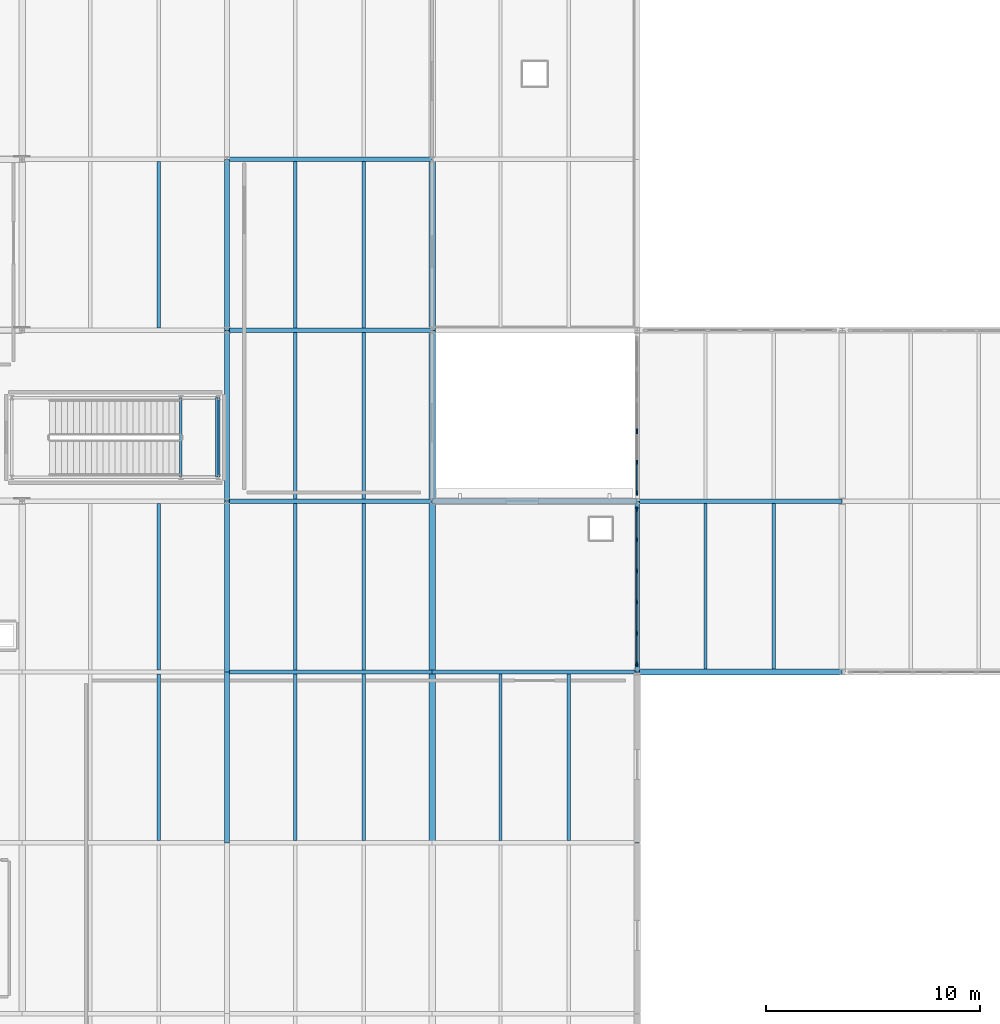
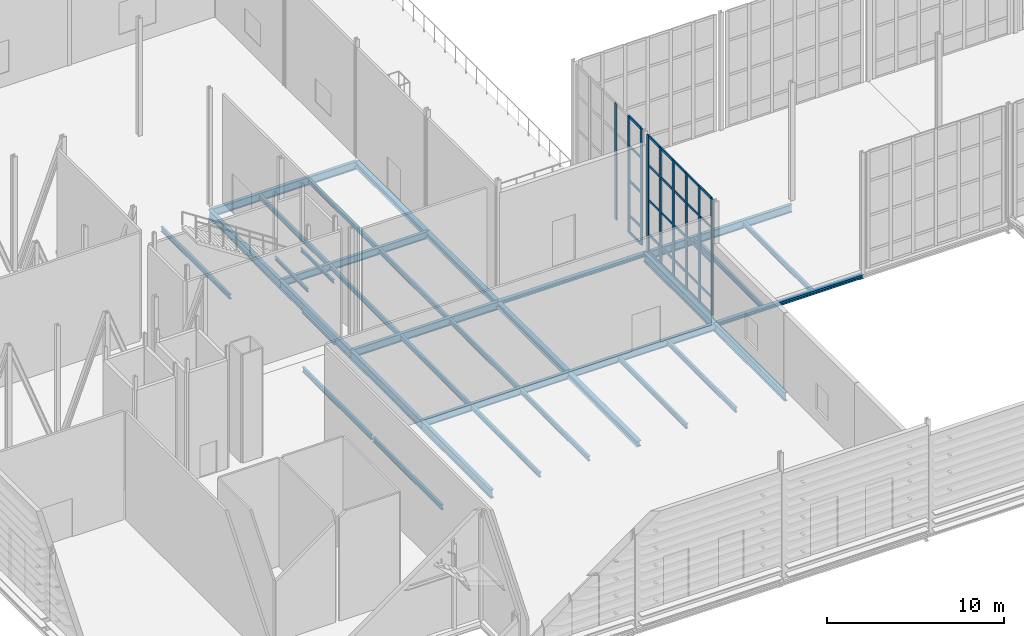
# One storey, part 19 of 73: 39 members, 36 beams, 2 elements without a shape of their own.
"""IFC4 building model written with IfcOpenShell, lengths in metres."""

from ifc_helpers import new_model, si_unit, direction, frame, origin, origin_2d, place, context, subcontext, project, spatial, rectangle, i_section, extrude, material, layer, layer_set, material_profile, profile_set, type_object, element, aggregate, save


model = new_model("IFC4")

# Units and contexts
model_context = context("Model", 3, precision=1e-05, world=origin(), true_north=direction((0.0, 1.0)))
body_context = subcontext(model_context, "Body", "Model", "MODEL_VIEW")
ifc_project = project(units=[si_unit("LENGTHUNIT", "METRE"), si_unit("AREAUNIT", "SQUARE_METRE"), si_unit("VOLUMEUNIT", "CUBIC_METRE"), si_unit("PLANEANGLEUNIT", "RADIAN"), si_unit("MASSUNIT", "GRAM", prefix="KILO")], contexts=[model_context])

# Site, building, storey
site_placement = place(None, origin())
site = spatial("IfcSite", under=ifc_project, at=site_placement, CompositionType="ELEMENT")
building_placement = place(site_placement, origin())
building = spatial("IfcBuilding", under=site, at=building_placement, Name="Alderhovde Museum", CompositionType="ELEMENT")
storey_placement = place(building_placement, frame((0.0, 0.0, 17.39990234375)))
storey = spatial("IfcBuildingStorey", under=building, at=storey_placement, Name="L04", CompositionType="ELEMENT", Elevation=17.39990234375)

# Beams
ifc_material_1 = material(Name="Steel S355J2", Category="steel")
ifc_material_profile_1 = material_profile(ifc_material_1, i_section(OverallWidth=0.300048828125, OverallDepth=0.389892578125, WebThickness=0.010986328125, FlangeThickness=0.01904296875, FilletRadius=0.027099609375, at=origin_2d()), Name="HEA 400")
ifc_profile_set_1 = profile_set([ifc_material_profile_1], Name="Steel S355J2")
beam_type_1 = type_object("IfcBeamType", Name="BM-HEA400", PredefinedType="BEAM", material=ifc_profile_set_1)
for number, where, z_axis, x_axis, name in (
    (1, (48.0, 64.0, -0.474853515625), (0.0, 1.0, 0.0), (-1.0, 0.0, 0.0), "L04 Grid Beam X=48.0 (64.0 TO 72.0)"),
    (2, (48.0, 72.0, -0.474853515625), (0.0, 1.0, 0.0), (-1.0, 0.0, 0.0), "L04 Grid Beam X=48.0 (72.0 TO 80.0)"),
    (3, (48.0, 80.0, -0.474853515625), (0.0, 1.0, 0.0), (-1.0, 0.0, 0.0), "L04 Grid Beam X=48.0 (80.0 TO 88.0)"),
    (4, (48.0, 88.0, -0.494873046875), (0.0, 1.0, 0.0), (-1.0, 0.0, 0.0), "L04 Grid Beam X=48.0 (88.0 TO 96.0)"),
):
    element("IfcBeam", number, at=place(storey_placement, frame(where, z_axis=z_axis, x_axis=x_axis)), inside=storey, type_object=beam_type_1, Name=name, PredefinedType="BEAM", context=body_context, shape_type="SweptSolid", body=[
        extrude(i_section(OverallWidth=0.300048828125, OverallDepth=0.389892578125, WebThickness=0.010986328125, FlangeThickness=0.01904296875, FilletRadius=0.027099609375, at=origin_2d()), origin(), (0.0, 0.0, 1.0), 8.0),
    ])
ifc_material_2 = material(Name="Steel S355J2", Category="steel")
ifc_material_profile_2 = material_profile(ifc_material_2, i_section(OverallWidth=0.1201171875, OverallDepth=0.239990234375, WebThickness=0.006103515625, FlangeThickness=0.009765625, FilletRadius=0.014892578125, at=origin_2d()), Name="IPE 240")
ifc_profile_set_2 = profile_set([ifc_material_profile_2], Name="Steel S355J2")
beam_type_2 = type_object("IfcBeamType", Name="BM-IPE240", PredefinedType="BEAM", material=ifc_profile_set_2)
for number, where, z_axis, x_axis, name in (
    (5, (38.0, 81.1201171875, -0.39990234375), (0.0, 1.0, 0.0), (-1.0, 0.0, 0.0), "L04 Stair ST2 Floor Trimmer E"),
    (6, (36.239990234375, 81.1201171875, 3.880126953125), (0.0, 1.0, 0.0), (-1.0, 0.0, 0.0), "L04 Stair ST2 Landing 1 Beam W"),
    (7, (37.919921875, 81.1201171875, 3.880126953125), (0.0, 1.0, 0.0), (-1.0, 0.0, 0.0), "L04 Stair ST2 Landing 1 Beam E"),
):
    element("IfcBeam", number, at=place(storey_placement, frame(where, z_axis=z_axis, x_axis=x_axis)), inside=storey, type_object=beam_type_2, Name=name, PredefinedType="BEAM", context=body_context, shape_type="SweptSolid", body=[
        extrude(i_section(OverallWidth=0.1201171875, OverallDepth=0.239990234375, WebThickness=0.006103515625, FlangeThickness=0.009765625, FilletRadius=0.014892578125, at=origin_2d()), origin(), (0.0, 0.0, 1.0), 3.719970703125),
    ])
ifc_material_3 = material(Name="Steel S355J2", Category="steel")
ifc_material_profile_3 = material_profile(ifc_material_3, i_section(OverallWidth=0.199951171875, OverallDepth=0.5, WebThickness=0.01025390625, FlangeThickness=0.01611328125, FilletRadius=0.02099609375, at=origin_2d()), Name="IPE 500")
ifc_profile_set_3 = profile_set([ifc_material_profile_3], Name="Steel S355J2")
beam_type_3 = type_object("IfcBeamType", Name="BM-IPE500", PredefinedType="BEAM", material=ifc_profile_set_3)
for number, where, z_axis, x_axis, name in (
    (8, (38.39990234375, 72.0, -0.52978515625), (1.0, 0.0, 0.0), (0.0, 1.0, 0.0), "L04 Grid Beam Y=72.0 (38.4 TO 48.0)"),
    (9, (48.0, 72.0, -0.52978515625), (1.0, 0.0, 0.0), (0.0, 1.0, 0.0), "L04 Grid Beam Y=72.0 (48.0 TO 57.6)"),
    (10, (38.39990234375, 88.0, -0.52978515625), (1.0, 0.0, 0.0), (0.0, 1.0, 0.0), "L04 Grid Beam Y=88.0 (38.4 TO 48.0)"),
):
    element("IfcBeam", number, at=place(storey_placement, frame(where, z_axis=z_axis, x_axis=x_axis)), inside=storey, type_object=beam_type_3, Name=name, PredefinedType="BEAM", context=body_context, shape_type="SweptSolid", body=[
        extrude(i_section(OverallWidth=0.199951171875, OverallDepth=0.5, WebThickness=0.01025390625, FlangeThickness=0.01611328125, FilletRadius=0.02099609375, at=origin_2d()), origin(), (0.0, 0.0, 1.0), 9.60009765625),
    ])
ifc_material_4 = material(Name="Steel S355J2", Category="steel")
ifc_material_profile_4 = material_profile(ifc_material_4, i_section(OverallWidth=0.2099609375, OverallDepth=0.550048828125, WebThickness=0.010986328125, FlangeThickness=0.01708984375, FilletRadius=0.02392578125, at=origin_2d()), Name="IPE 550")
ifc_profile_set_4 = profile_set([ifc_material_profile_4], Name="Steel S355J2")
beam_type_4 = type_object("IfcBeamType", Name="BM-IPE550", PredefinedType="BEAM", material=ifc_profile_set_4)
beam_1_placement = place(storey_placement, frame((38.39990234375, 80.0, -0.554931640625), z_axis=(1.0, 0.0, 0.0), x_axis=(0.0, 1.0, 0.0)))
element("IfcBeam", 11, at=beam_1_placement, inside=storey, type_object=beam_type_4, Name="L04 Grid Beam Y=80.0 (38.4 TO 48.0)", PredefinedType="BEAM", context=body_context, shape_type="SweptSolid", body=[
    extrude(i_section(OverallWidth=0.2099609375, OverallDepth=0.550048828125, WebThickness=0.010986328125, FlangeThickness=0.01708984375, FilletRadius=0.02392578125, at=origin_2d()), origin(), (0.0, 0.0, 1.0), 9.60009765625),
])
beam_2_placement = place(storey_placement, frame((57.60009765625, 80.0, -0.554931640625), z_axis=(1.0, 0.0, 0.0), x_axis=(0.0, 1.0, 0.0)))
element("IfcBeam", 12, at=beam_2_placement, inside=storey, type_object=beam_type_4, Name="L04 Grid Beam Y=80.0 (57.6 TO 67.2)", PredefinedType="BEAM", context=body_context, shape_type="SweptSolid", body=[
    extrude(i_section(OverallWidth=0.2099609375, OverallDepth=0.550048828125, WebThickness=0.010986328125, FlangeThickness=0.01708984375, FilletRadius=0.02392578125, at=origin_2d()), origin(), (0.0, 0.0, 1.0), 9.599853515625),
])
beam_3_placement = place(storey_placement, frame((38.39990234375, 96.0, -0.554931640625), z_axis=(1.0, 0.0, 0.0), x_axis=(0.0, 1.0, 0.0)))
element("IfcBeam", 13, at=beam_3_placement, inside=storey, type_object=beam_type_4, Name="L04 Grid Beam Y=96.0 (38.4 TO 48.0)", PredefinedType="BEAM", context=body_context, shape_type="SweptSolid", body=[
    extrude(i_section(OverallWidth=0.2099609375, OverallDepth=0.550048828125, WebThickness=0.010986328125, FlangeThickness=0.01708984375, FilletRadius=0.02392578125, at=origin_2d()), origin(), (0.0, 0.0, 1.0), 9.60009765625),
])
ifc_material_5 = material(Name="Steel S355J2", Category="steel")
ifc_material_profile_5 = material_profile(ifc_material_5, i_section(OverallWidth=0.219970703125, OverallDepth=0.60009765625, WebThickness=0.011962890625, FlangeThickness=0.01904296875, FilletRadius=0.02392578125, at=origin_2d()), Name="IPE 600")
ifc_profile_set_5 = profile_set([ifc_material_profile_5], Name="Steel S355J2")
beam_type_5 = type_object("IfcBeamType", Name="BM-IPE600", PredefinedType="BEAM", material=ifc_profile_set_5)
for number, where, z_axis, x_axis, name in (
    (14, (38.39990234375, 64.0, -0.579833984375), (0.0, 1.0, 0.0), (-1.0, 0.0, 0.0), "L04 Grid Beam X=38.4 (64.0 TO 72.0)"),
    (15, (38.39990234375, 72.0, -0.579833984375), (0.0, 1.0, 0.0), (-1.0, 0.0, 0.0), "L04 Grid Beam X=38.4 (72.0 TO 80.0)"),
    (16, (38.39990234375, 80.0, -0.579833984375), (0.0, 1.0, 0.0), (-1.0, 0.0, 0.0), "L04 Grid Beam X=38.4 (80.0 TO 88.0)"),
    (17, (38.39990234375, 88.0, -0.579833984375), (0.0, 1.0, 0.0), (-1.0, 0.0, 0.0), "L04 Grid Beam X=38.4 (88.0 TO 96.0)"),
    (18, (57.60009765625, 64.0, -0.579833984375), (0.0, 1.0, 0.0), (-1.0, 0.0, 0.0), "L04 Grid Beam X=57.6 (64.0 TO 72.0)"),
    (19, (57.60009765625, 72.0, -0.579833984375), (0.0, 1.0, 0.0), (-1.0, 0.0, 0.0), "L04 Grid Beam X=57.6 (72.0 TO 80.0)"),
):
    element("IfcBeam", number, at=place(storey_placement, frame(where, z_axis=z_axis, x_axis=x_axis)), inside=storey, type_object=beam_type_5, Name=name, PredefinedType="BEAM", context=body_context, shape_type="SweptSolid", body=[
        extrude(i_section(OverallWidth=0.219970703125, OverallDepth=0.60009765625, WebThickness=0.011962890625, FlangeThickness=0.01904296875, FilletRadius=0.02392578125, at=origin_2d()), origin(), (0.0, 0.0, 1.0), 8.0),
    ])

# Curtain wall, members
ifc_material_6 = material(Name="Triple-Glazed Bronze-Anodised Curtain Wall", Category="glass")
ifc_layer = layer(ifc_material_6, 0.219970703125)
ifc_layer_set = layer_set([ifc_layer], Name="Triple-Glazed Bronze-Anodised Curtain Wall")
curtain_wall_type = type_object("IfcCurtainWallType", Name="CW-STIC-730x805", PredefinedType="USERDEFINED", material=ifc_layer_set)
curtain_wall_1_placement = place(storey_placement, origin())
curtain_wall_1 = element("IfcCurtainWall", 20, at=curtain_wall_1_placement, inside=storey, type_object=curtain_wall_type, Name="L04 Stick Curtain Wall 89", ObjectType="STICK CURTAIN WALL", PredefinedType="USERDEFINED")
ifc_material_7 = material(Name="Bronze-Anodised Aluminium EN AW-6063-T6", Category="aluminium")
ifc_material_profile_6 = material_profile(ifc_material_7, rectangle(XDim=0.074951171875, YDim=0.219970703125, at=origin_2d()), Name="MULLION 75x220")
ifc_profile_set_6 = profile_set([ifc_material_profile_6], Name="Bronze-Anodised Aluminium EN AW-6063-T6")
member_type_1 = type_object("IfcMemberType", Name="CWM-75x220", PredefinedType="MULLION", material=ifc_profile_set_6)
member_1_placement = place(storey_placement, frame((57.60009765625, 72.387451171875, 0.0), z_axis=(0.0, 0.0, 1.0), x_axis=(-1.0, 0.0, 0.0)))
member_1 = element("IfcMember", 21, at=member_1_placement, type_object=member_type_1, Name="CW23 mullion 1", PredefinedType="MULLION", context=body_context, shape_type="SweptSolid", body=[
    extrude(rectangle(XDim=0.074951171875, YDim=0.219970703125, at=origin_2d()), origin(), (0.0, 0.0, 1.0), 8.050048828125),
])
member_2_placement = place(storey_placement, frame((57.60009765625, 73.81005859375, 0.0), z_axis=(0.0, 0.0, 1.0), x_axis=(-1.0, 0.0, 0.0)))
member_2 = element("IfcMember", 22, at=member_2_placement, type_object=member_type_1, Name="CW23 mullion 2", PredefinedType="MULLION", context=body_context, shape_type="SweptSolid", body=[
    extrude(rectangle(XDim=0.074951171875, YDim=0.219970703125, at=origin_2d()), origin(), (0.0, 0.0, 1.0), 8.050048828125),
])
member_3_placement = place(storey_placement, frame((57.60009765625, 75.27001953125, 0.0), z_axis=(0.0, 0.0, 1.0), x_axis=(-1.0, 0.0, 0.0)))
member_3 = element("IfcMember", 23, at=member_3_placement, type_object=member_type_1, Name="CW23 mullion 3", PredefinedType="MULLION", context=body_context, shape_type="SweptSolid", body=[
    extrude(rectangle(XDim=0.074951171875, YDim=0.219970703125, at=origin_2d()), origin(), (0.0, 0.0, 1.0), 8.050048828125),
])
member_4_placement = place(storey_placement, frame((57.60009765625, 76.72998046875, 0.0), z_axis=(0.0, 0.0, 1.0), x_axis=(-1.0, 0.0, 0.0)))
member_4 = element("IfcMember", 24, at=member_4_placement, type_object=member_type_1, Name="CW23 mullion 4", PredefinedType="MULLION", context=body_context, shape_type="SweptSolid", body=[
    extrude(rectangle(XDim=0.074951171875, YDim=0.219970703125, at=origin_2d()), origin(), (0.0, 0.0, 1.0), 8.050048828125),
])
member_5_placement = place(storey_placement, frame((57.60009765625, 78.18994140625, 0.0), z_axis=(0.0, 0.0, 1.0), x_axis=(-1.0, 0.0, 0.0)))
member_5 = element("IfcMember", 25, at=member_5_placement, type_object=member_type_1, Name="CW23 mullion 5", PredefinedType="MULLION", context=body_context, shape_type="SweptSolid", body=[
    extrude(rectangle(XDim=0.074951171875, YDim=0.219970703125, at=origin_2d()), origin(), (0.0, 0.0, 1.0), 8.050048828125),
])
member_6_placement = place(storey_placement, frame((57.60009765625, 79.612548828125, 0.0), z_axis=(0.0, 0.0, 1.0), x_axis=(-1.0, 0.0, 0.0)))
member_6 = element("IfcMember", 26, at=member_6_placement, type_object=member_type_1, Name="CW23 mullion 6", PredefinedType="MULLION", context=body_context, shape_type="SweptSolid", body=[
    extrude(rectangle(XDim=0.074951171875, YDim=0.219970703125, at=origin_2d()), origin(), (0.0, 0.0, 1.0), 8.050048828125),
])

curtain_wall_2_placement = place(storey_placement, origin())
curtain_wall_2 = element("IfcCurtainWall", 27, at=curtain_wall_2_placement, inside=storey, type_object=curtain_wall_type, Name="L04 Stick Curtain Wall 90", ObjectType="STICK CURTAIN WALL", PredefinedType="USERDEFINED")
member_7_placement = place(storey_placement, frame((57.60009765625, 80.387451171875, 0.0), z_axis=(0.0, 0.0, 1.0), x_axis=(-1.0, 0.0, 0.0)))
member_7 = element("IfcMember", 28, at=member_7_placement, type_object=member_type_1, Name="CW23 mullion 1", PredefinedType="MULLION", context=body_context, shape_type="SweptSolid", body=[
    extrude(rectangle(XDim=0.074951171875, YDim=0.219970703125, at=origin_2d()), origin(), (0.0, 0.0, 1.0), 8.050048828125),
])
member_8_placement = place(storey_placement, frame((57.60009765625, 81.81005859375, 0.0), z_axis=(0.0, 0.0, 1.0), x_axis=(-1.0, 0.0, 0.0)))
member_8 = element("IfcMember", 29, at=member_8_placement, type_object=member_type_1, Name="CW23 mullion 2", PredefinedType="MULLION", context=body_context, shape_type="SweptSolid", body=[
    extrude(rectangle(XDim=0.074951171875, YDim=0.219970703125, at=origin_2d()), origin(), (0.0, 0.0, 1.0), 8.050048828125),
])
member_9_placement = place(storey_placement, frame((57.60009765625, 83.27001953125, 0.0), z_axis=(0.0, 0.0, 1.0), x_axis=(-1.0, 0.0, 0.0)))
member_9 = element("IfcMember", 30, at=member_9_placement, type_object=member_type_1, Name="CW23 mullion 3", PredefinedType="MULLION", context=body_context, shape_type="SweptSolid", body=[
    extrude(rectangle(XDim=0.074951171875, YDim=0.219970703125, at=origin_2d()), origin(), (0.0, 0.0, 1.0), 8.050048828125),
])

# Member
ifc_material_8 = material(Name="Bronze-Anodised Aluminium EN AW-6063-T6", Category="aluminium")
ifc_material_profile_7 = material_profile(ifc_material_8, rectangle(XDim=0.074951171875, YDim=0.159912109375, at=origin_2d()), Name="TRANSOM 75x160")
ifc_profile_set_7 = profile_set([ifc_material_profile_7], Name="Bronze-Anodised Aluminium EN AW-6063-T6")
member_type_2 = type_object("IfcMemberType", Name="CWT-75x160", PredefinedType="USERDEFINED", material=ifc_profile_set_7)
member_10_placement = place(storey_placement, frame((57.60009765625, 72.425048828125, 0.03759765625), z_axis=(0.0, 1.0, 0.0), x_axis=(-1.0, 0.0, 0.0)))
member_10 = element("IfcMember", 31, at=member_10_placement, type_object=member_type_2, Name="CW23 transom 1.1", ObjectType="TRANSOM", PredefinedType="USERDEFINED", context=body_context, shape_type="SweptSolid", body=[
    extrude(rectangle(XDim=0.074951171875, YDim=0.159912109375, at=origin_2d()), origin(), (0.0, 0.0, 1.0), 1.347412109375),
])

member_11_placement = place(storey_placement, frame((57.60009765625, 72.425048828125, 1.2001953125), z_axis=(0.0, 1.0, 0.0), x_axis=(-1.0, 0.0, 0.0)))
member_11 = element("IfcMember", 32, at=member_11_placement, type_object=member_type_2, Name="CW23 transom 1.2", ObjectType="TRANSOM", PredefinedType="USERDEFINED", context=body_context, shape_type="SweptSolid", body=[
    extrude(rectangle(XDim=0.074951171875, YDim=0.159912109375, at=origin_2d()), origin(), (0.0, 0.0, 1.0), 1.347412109375),
])

member_12_placement = place(storey_placement, frame((57.60009765625, 72.425048828125, 3.60009765625), z_axis=(0.0, 1.0, 0.0), x_axis=(-1.0, 0.0, 0.0)))
member_12 = element("IfcMember", 33, at=member_12_placement, type_object=member_type_2, Name="CW23 transom 1.3", ObjectType="TRANSOM", PredefinedType="USERDEFINED", context=body_context, shape_type="SweptSolid", body=[
    extrude(rectangle(XDim=0.074951171875, YDim=0.159912109375, at=origin_2d()), origin(), (0.0, 0.0, 1.0), 1.347412109375),
])

member_13_placement = place(storey_placement, frame((57.60009765625, 72.425048828125, 6.0), z_axis=(0.0, 1.0, 0.0), x_axis=(-1.0, 0.0, 0.0)))
member_13 = element("IfcMember", 34, at=member_13_placement, type_object=member_type_2, Name="CW23 transom 1.4", ObjectType="TRANSOM", PredefinedType="USERDEFINED", context=body_context, shape_type="SweptSolid", body=[
    extrude(rectangle(XDim=0.074951171875, YDim=0.159912109375, at=origin_2d()), origin(), (0.0, 0.0, 1.0), 1.347412109375),
])

member_14_placement = place(storey_placement, frame((57.60009765625, 72.425048828125, 8.0126953125), z_axis=(0.0, 1.0, 0.0), x_axis=(-1.0, 0.0, 0.0)))
member_14 = element("IfcMember", 35, at=member_14_placement, type_object=member_type_2, Name="CW23 transom 1.5", ObjectType="TRANSOM", PredefinedType="USERDEFINED", context=body_context, shape_type="SweptSolid", body=[
    extrude(rectangle(XDim=0.074951171875, YDim=0.159912109375, at=origin_2d()), origin(), (0.0, 0.0, 1.0), 1.347412109375),
])

member_15_placement = place(storey_placement, frame((57.60009765625, 73.847412109375, 0.03759765625), z_axis=(0.0, 1.0, 0.0), x_axis=(-1.0, 0.0, 0.0)))
member_15 = element("IfcMember", 36, at=member_15_placement, type_object=member_type_2, Name="CW23 transom 2.1", ObjectType="TRANSOM", PredefinedType="USERDEFINED", context=body_context, shape_type="SweptSolid", body=[
    extrude(rectangle(XDim=0.074951171875, YDim=0.159912109375, at=origin_2d()), origin(), (0.0, 0.0, 1.0), 1.385009765625),
])

member_16_placement = place(storey_placement, frame((57.60009765625, 73.847412109375, 1.2001953125), z_axis=(0.0, 1.0, 0.0), x_axis=(-1.0, 0.0, 0.0)))
member_16 = element("IfcMember", 37, at=member_16_placement, type_object=member_type_2, Name="CW23 transom 2.2", ObjectType="TRANSOM", PredefinedType="USERDEFINED", context=body_context, shape_type="SweptSolid", body=[
    extrude(rectangle(XDim=0.074951171875, YDim=0.159912109375, at=origin_2d()), origin(), (0.0, 0.0, 1.0), 1.385009765625),
])

member_17_placement = place(storey_placement, frame((57.60009765625, 73.847412109375, 3.60009765625), z_axis=(0.0, 1.0, 0.0), x_axis=(-1.0, 0.0, 0.0)))
member_17 = element("IfcMember", 38, at=member_17_placement, type_object=member_type_2, Name="CW23 transom 2.3", ObjectType="TRANSOM", PredefinedType="USERDEFINED", context=body_context, shape_type="SweptSolid", body=[
    extrude(rectangle(XDim=0.074951171875, YDim=0.159912109375, at=origin_2d()), origin(), (0.0, 0.0, 1.0), 1.385009765625),
])

member_18_placement = place(storey_placement, frame((57.60009765625, 73.847412109375, 6.0), z_axis=(0.0, 1.0, 0.0), x_axis=(-1.0, 0.0, 0.0)))
member_18 = element("IfcMember", 39, at=member_18_placement, type_object=member_type_2, Name="CW23 transom 2.4", ObjectType="TRANSOM", PredefinedType="USERDEFINED", context=body_context, shape_type="SweptSolid", body=[
    extrude(rectangle(XDim=0.074951171875, YDim=0.159912109375, at=origin_2d()), origin(), (0.0, 0.0, 1.0), 1.385009765625),
])

member_19_placement = place(storey_placement, frame((57.60009765625, 73.847412109375, 8.0126953125), z_axis=(0.0, 1.0, 0.0), x_axis=(-1.0, 0.0, 0.0)))
member_19 = element("IfcMember", 40, at=member_19_placement, type_object=member_type_2, Name="CW23 transom 2.5", ObjectType="TRANSOM", PredefinedType="USERDEFINED", context=body_context, shape_type="SweptSolid", body=[
    extrude(rectangle(XDim=0.074951171875, YDim=0.159912109375, at=origin_2d()), origin(), (0.0, 0.0, 1.0), 1.385009765625),
])

member_20_placement = place(storey_placement, frame((57.60009765625, 75.3076171875, 0.03759765625), z_axis=(0.0, 1.0, 0.0), x_axis=(-1.0, 0.0, 0.0)))
member_20 = element("IfcMember", 41, at=member_20_placement, type_object=member_type_2, Name="CW23 transom 3.1", ObjectType="TRANSOM", PredefinedType="USERDEFINED", context=body_context, shape_type="SweptSolid", body=[
    extrude(rectangle(XDim=0.074951171875, YDim=0.159912109375, at=origin_2d()), origin(), (0.0, 0.0, 1.0), 1.384765625),
])

member_21_placement = place(storey_placement, frame((57.60009765625, 75.3076171875, 1.2001953125), z_axis=(0.0, 1.0, 0.0), x_axis=(-1.0, 0.0, 0.0)))
member_21 = element("IfcMember", 42, at=member_21_placement, type_object=member_type_2, Name="CW23 transom 3.2", ObjectType="TRANSOM", PredefinedType="USERDEFINED", context=body_context, shape_type="SweptSolid", body=[
    extrude(rectangle(XDim=0.074951171875, YDim=0.159912109375, at=origin_2d()), origin(), (0.0, 0.0, 1.0), 1.384765625),
])

member_22_placement = place(storey_placement, frame((57.60009765625, 75.3076171875, 3.60009765625), z_axis=(0.0, 1.0, 0.0), x_axis=(-1.0, 0.0, 0.0)))
member_22 = element("IfcMember", 43, at=member_22_placement, type_object=member_type_2, Name="CW23 transom 3.3", ObjectType="TRANSOM", PredefinedType="USERDEFINED", context=body_context, shape_type="SweptSolid", body=[
    extrude(rectangle(XDim=0.074951171875, YDim=0.159912109375, at=origin_2d()), origin(), (0.0, 0.0, 1.0), 1.384765625),
])

member_23_placement = place(storey_placement, frame((57.60009765625, 75.3076171875, 6.0), z_axis=(0.0, 1.0, 0.0), x_axis=(-1.0, 0.0, 0.0)))
member_23 = element("IfcMember", 44, at=member_23_placement, type_object=member_type_2, Name="CW23 transom 3.4", ObjectType="TRANSOM", PredefinedType="USERDEFINED", context=body_context, shape_type="SweptSolid", body=[
    extrude(rectangle(XDim=0.074951171875, YDim=0.159912109375, at=origin_2d()), origin(), (0.0, 0.0, 1.0), 1.384765625),
])

member_24_placement = place(storey_placement, frame((57.60009765625, 75.3076171875, 8.0126953125), z_axis=(0.0, 1.0, 0.0), x_axis=(-1.0, 0.0, 0.0)))
member_24 = element("IfcMember", 45, at=member_24_placement, type_object=member_type_2, Name="CW23 transom 3.5", ObjectType="TRANSOM", PredefinedType="USERDEFINED", context=body_context, shape_type="SweptSolid", body=[
    extrude(rectangle(XDim=0.074951171875, YDim=0.159912109375, at=origin_2d()), origin(), (0.0, 0.0, 1.0), 1.384765625),
])

member_25_placement = place(storey_placement, frame((57.60009765625, 76.767578125, 0.03759765625), z_axis=(0.0, 1.0, 0.0), x_axis=(-1.0, 0.0, 0.0)))
member_25 = element("IfcMember", 46, at=member_25_placement, type_object=member_type_2, Name="CW23 transom 4.1", ObjectType="TRANSOM", PredefinedType="USERDEFINED", context=body_context, shape_type="SweptSolid", body=[
    extrude(rectangle(XDim=0.074951171875, YDim=0.159912109375, at=origin_2d()), origin(), (0.0, 0.0, 1.0), 1.385009765625),
])

member_26_placement = place(storey_placement, frame((57.60009765625, 76.767578125, 1.2001953125), z_axis=(0.0, 1.0, 0.0), x_axis=(-1.0, 0.0, 0.0)))
member_26 = element("IfcMember", 47, at=member_26_placement, type_object=member_type_2, Name="CW23 transom 4.2", ObjectType="TRANSOM", PredefinedType="USERDEFINED", context=body_context, shape_type="SweptSolid", body=[
    extrude(rectangle(XDim=0.074951171875, YDim=0.159912109375, at=origin_2d()), origin(), (0.0, 0.0, 1.0), 1.385009765625),
])

member_27_placement = place(storey_placement, frame((57.60009765625, 76.767578125, 3.60009765625), z_axis=(0.0, 1.0, 0.0), x_axis=(-1.0, 0.0, 0.0)))
member_27 = element("IfcMember", 48, at=member_27_placement, type_object=member_type_2, Name="CW23 transom 4.3", ObjectType="TRANSOM", PredefinedType="USERDEFINED", context=body_context, shape_type="SweptSolid", body=[
    extrude(rectangle(XDim=0.074951171875, YDim=0.159912109375, at=origin_2d()), origin(), (0.0, 0.0, 1.0), 1.385009765625),
])

member_28_placement = place(storey_placement, frame((57.60009765625, 76.767578125, 6.0), z_axis=(0.0, 1.0, 0.0), x_axis=(-1.0, 0.0, 0.0)))
member_28 = element("IfcMember", 49, at=member_28_placement, type_object=member_type_2, Name="CW23 transom 4.4", ObjectType="TRANSOM", PredefinedType="USERDEFINED", context=body_context, shape_type="SweptSolid", body=[
    extrude(rectangle(XDim=0.074951171875, YDim=0.159912109375, at=origin_2d()), origin(), (0.0, 0.0, 1.0), 1.385009765625),
])

member_29_placement = place(storey_placement, frame((57.60009765625, 76.767578125, 8.0126953125), z_axis=(0.0, 1.0, 0.0), x_axis=(-1.0, 0.0, 0.0)))
member_29 = element("IfcMember", 50, at=member_29_placement, type_object=member_type_2, Name="CW23 transom 4.5", ObjectType="TRANSOM", PredefinedType="USERDEFINED", context=body_context, shape_type="SweptSolid", body=[
    extrude(rectangle(XDim=0.074951171875, YDim=0.159912109375, at=origin_2d()), origin(), (0.0, 0.0, 1.0), 1.385009765625),
])

member_30_placement = place(storey_placement, frame((57.60009765625, 78.2275390625, 0.03759765625), z_axis=(0.0, 1.0, 0.0), x_axis=(-1.0, 0.0, 0.0)))
member_30 = element("IfcMember", 51, at=member_30_placement, type_object=member_type_2, Name="CW23 transom 5.1", ObjectType="TRANSOM", PredefinedType="USERDEFINED", context=body_context, shape_type="SweptSolid", body=[
    extrude(rectangle(XDim=0.074951171875, YDim=0.159912109375, at=origin_2d()), origin(), (0.0, 0.0, 1.0), 1.347412109375),
])

member_31_placement = place(storey_placement, frame((57.60009765625, 78.2275390625, 1.2001953125), z_axis=(0.0, 1.0, 0.0), x_axis=(-1.0, 0.0, 0.0)))
member_31 = element("IfcMember", 52, at=member_31_placement, type_object=member_type_2, Name="CW23 transom 5.2", ObjectType="TRANSOM", PredefinedType="USERDEFINED", context=body_context, shape_type="SweptSolid", body=[
    extrude(rectangle(XDim=0.074951171875, YDim=0.159912109375, at=origin_2d()), origin(), (0.0, 0.0, 1.0), 1.347412109375),
])

member_32_placement = place(storey_placement, frame((57.60009765625, 78.2275390625, 3.60009765625), z_axis=(0.0, 1.0, 0.0), x_axis=(-1.0, 0.0, 0.0)))
member_32 = element("IfcMember", 53, at=member_32_placement, type_object=member_type_2, Name="CW23 transom 5.3", ObjectType="TRANSOM", PredefinedType="USERDEFINED", context=body_context, shape_type="SweptSolid", body=[
    extrude(rectangle(XDim=0.074951171875, YDim=0.159912109375, at=origin_2d()), origin(), (0.0, 0.0, 1.0), 1.347412109375),
])

member_33_placement = place(storey_placement, frame((57.60009765625, 78.2275390625, 6.0), z_axis=(0.0, 1.0, 0.0), x_axis=(-1.0, 0.0, 0.0)))
member_33 = element("IfcMember", 54, at=member_33_placement, type_object=member_type_2, Name="CW23 transom 5.4", ObjectType="TRANSOM", PredefinedType="USERDEFINED", context=body_context, shape_type="SweptSolid", body=[
    extrude(rectangle(XDim=0.074951171875, YDim=0.159912109375, at=origin_2d()), origin(), (0.0, 0.0, 1.0), 1.347412109375),
])

member_34_placement = place(storey_placement, frame((57.60009765625, 78.2275390625, 8.0126953125), z_axis=(0.0, 1.0, 0.0), x_axis=(-1.0, 0.0, 0.0)))
member_34 = element("IfcMember", 55, at=member_34_placement, type_object=member_type_2, Name="CW23 transom 5.5", ObjectType="TRANSOM", PredefinedType="USERDEFINED", context=body_context, shape_type="SweptSolid", body=[
    extrude(rectangle(XDim=0.074951171875, YDim=0.159912109375, at=origin_2d()), origin(), (0.0, 0.0, 1.0), 1.347412109375),
])

aggregate(curtain_wall_1, [member_1, member_2, member_3, member_4, member_5, member_6, member_10, member_11, member_12, member_13, member_14, member_15, member_16, member_17, member_18, member_19, member_20, member_21, member_22, member_23, member_24, member_25, member_26, member_27, member_28, member_29, member_30, member_31, member_32, member_33, member_34])

member_35_placement = place(storey_placement, frame((57.60009765625, 80.425048828125, 0.03759765625), z_axis=(0.0, 1.0, 0.0), x_axis=(-1.0, 0.0, 0.0)))
member_35 = element("IfcMember", 56, at=member_35_placement, type_object=member_type_2, Name="CW23 transom 1.1", ObjectType="TRANSOM", PredefinedType="USERDEFINED", context=body_context, shape_type="SweptSolid", body=[
    extrude(rectangle(XDim=0.074951171875, YDim=0.159912109375, at=origin_2d()), origin(), (0.0, 0.0, 1.0), 1.347412109375),
])

member_36_placement = place(storey_placement, frame((57.60009765625, 80.425048828125, 1.2001953125), z_axis=(0.0, 1.0, 0.0), x_axis=(-1.0, 0.0, 0.0)))
member_36 = element("IfcMember", 57, at=member_36_placement, type_object=member_type_2, Name="CW23 transom 1.2", ObjectType="TRANSOM", PredefinedType="USERDEFINED", context=body_context, shape_type="SweptSolid", body=[
    extrude(rectangle(XDim=0.074951171875, YDim=0.159912109375, at=origin_2d()), origin(), (0.0, 0.0, 1.0), 1.347412109375),
])

member_37_placement = place(storey_placement, frame((57.60009765625, 80.425048828125, 3.60009765625), z_axis=(0.0, 1.0, 0.0), x_axis=(-1.0, 0.0, 0.0)))
member_37 = element("IfcMember", 58, at=member_37_placement, type_object=member_type_2, Name="CW23 transom 1.3", ObjectType="TRANSOM", PredefinedType="USERDEFINED", context=body_context, shape_type="SweptSolid", body=[
    extrude(rectangle(XDim=0.074951171875, YDim=0.159912109375, at=origin_2d()), origin(), (0.0, 0.0, 1.0), 1.347412109375),
])

member_38_placement = place(storey_placement, frame((57.60009765625, 80.425048828125, 6.0), z_axis=(0.0, 1.0, 0.0), x_axis=(-1.0, 0.0, 0.0)))
member_38 = element("IfcMember", 59, at=member_38_placement, type_object=member_type_2, Name="CW23 transom 1.4", ObjectType="TRANSOM", PredefinedType="USERDEFINED", context=body_context, shape_type="SweptSolid", body=[
    extrude(rectangle(XDim=0.074951171875, YDim=0.159912109375, at=origin_2d()), origin(), (0.0, 0.0, 1.0), 1.347412109375),
])

member_39_placement = place(storey_placement, frame((57.60009765625, 80.425048828125, 8.0126953125), z_axis=(0.0, 1.0, 0.0), x_axis=(-1.0, 0.0, 0.0)))
member_39 = element("IfcMember", 60, at=member_39_placement, type_object=member_type_2, Name="CW23 transom 1.5", ObjectType="TRANSOM", PredefinedType="USERDEFINED", context=body_context, shape_type="SweptSolid", body=[
    extrude(rectangle(XDim=0.074951171875, YDim=0.159912109375, at=origin_2d()), origin(), (0.0, 0.0, 1.0), 1.347412109375),
])

aggregate(curtain_wall_2, [member_7, member_8, member_9, member_35, member_36, member_37, member_38, member_39])

# Beams
ifc_material_9 = material(Name="Steel S355J2", Category="steel")
ifc_material_profile_8 = material_profile(ifc_material_9, i_section(OverallWidth=0.159912109375, OverallDepth=0.330078125, WebThickness=0.007568359375, FlangeThickness=0.011474609375, FilletRadius=0.01806640625, at=origin_2d()), Name="IPE 330")
ifc_profile_set_8 = profile_set([ifc_material_profile_8], Name="Steel S355J2")
beam_type_6 = type_object("IfcBeamType", Name="JST-IPE330", PredefinedType="JOIST", material=ifc_profile_set_8)
for number, where, z_axis, x_axis, name in (
    (61, (35.199951171875, 64.10498046875, -0.44482421875), (0.0, 1.0, 0.0), (-1.0, 0.0, 0.0), "L04 Composite Joist X=35.2 (64.0 TO 72.0)"),
    (62, (35.199951171875, 72.10009765625, -0.44482421875), (0.0, 1.0, 0.0), (-1.0, 0.0, 0.0), "L04 Composite Joist X=35.2 (72.0 TO 80.0)"),
    (63, (35.199951171875, 88.10009765625, -0.44482421875), (0.0, 1.0, 0.0), (-1.0, 0.0, 0.0), "L04 Composite Joist X=35.2 (88.0 TO 96.0)"),
    (64, (41.60009765625, 64.10498046875, -0.44482421875), (0.0, 1.0, 0.0), (-1.0, 0.0, 0.0), "L04 Composite Joist X=41.6 (64.0 TO 72.0)"),
    (65, (44.800048828125, 64.10498046875, -0.44482421875), (0.0, 1.0, 0.0), (-1.0, 0.0, 0.0), "L04 Composite Joist X=44.8 (64.0 TO 72.0)"),
    (66, (41.60009765625, 72.10009765625, -0.44482421875), (0.0, 1.0, 0.0), (-1.0, 0.0, 0.0), "L04 Composite Joist X=41.6 (72.0 TO 80.0)"),
    (67, (44.800048828125, 72.10009765625, -0.44482421875), (0.0, 1.0, 0.0), (-1.0, 0.0, 0.0), "L04 Composite Joist X=44.8 (72.0 TO 80.0)"),
    (68, (41.60009765625, 80.10498046875, -0.44482421875), (0.0, 1.0, 0.0), (-1.0, 0.0, 0.0), "L04 Composite Joist X=41.6 (80.0 TO 88.0)"),
    (69, (44.800048828125, 80.10498046875, -0.44482421875), (0.0, 1.0, 0.0), (-1.0, 0.0, 0.0), "L04 Composite Joist X=44.8 (80.0 TO 88.0)"),
    (70, (41.60009765625, 88.10009765625, -0.44482421875), (0.0, 1.0, 0.0), (-1.0, 0.0, 0.0), "L04 Composite Joist X=41.6 (88.0 TO 96.0)"),
    (71, (44.800048828125, 88.10009765625, -0.44482421875), (0.0, 1.0, 0.0), (-1.0, 0.0, 0.0), "L04 Composite Joist X=44.8 (88.0 TO 96.0)"),
    (72, (51.199951171875, 64.10498046875, -0.44482421875), (0.0, 1.0, 0.0), (-1.0, 0.0, 0.0), "L04 Composite Joist X=51.2 (64.0 TO 72.0)"),
    (73, (54.39990234375, 64.10498046875, -0.44482421875), (0.0, 1.0, 0.0), (-1.0, 0.0, 0.0), "L04 Composite Joist X=54.4 (64.0 TO 72.0)"),
):
    element("IfcBeam", number, at=place(storey_placement, frame(where, z_axis=z_axis, x_axis=x_axis)), inside=storey, type_object=beam_type_6, Name=name, PredefinedType="JOIST", context=body_context, shape_type="SweptSolid", body=[
        extrude(i_section(OverallWidth=0.159912109375, OverallDepth=0.330078125, WebThickness=0.007568359375, FlangeThickness=0.011474609375, FilletRadius=0.01806640625, at=origin_2d()), origin(), (0.0, 0.0, 1.0), 7.794921875),
    ])
for number, where, z_axis, x_axis, name in (
    (74, (60.800048828125, 72.1298828125, -0.44482421875), (0.0, 1.0, 0.0), (-1.0, 0.0, 0.0), "L04 Composite Joist X=60.8 (72.0 TO 80.0)"),
    (75, (64.0, 72.1298828125, -0.44482421875), (0.0, 1.0, 0.0), (-1.0, 0.0, 0.0), "L04 Composite Joist X=64.0 (72.0 TO 80.0)"),
):
    element("IfcBeam", number, at=place(storey_placement, frame(where, z_axis=z_axis, x_axis=x_axis)), inside=storey, type_object=beam_type_6, Name=name, PredefinedType="JOIST", context=body_context, shape_type="SweptSolid", body=[
        extrude(i_section(OverallWidth=0.159912109375, OverallDepth=0.330078125, WebThickness=0.007568359375, FlangeThickness=0.011474609375, FilletRadius=0.01806640625, at=origin_2d()), origin(), (0.0, 0.0, 1.0), 7.76513671875),
    ])
ifc_material_10 = material(Name="Steel S355J2", Category="steel")
ifc_material_profile_9 = material_profile(ifc_material_10, i_section(OverallWidth=0.260009765625, OverallDepth=0.25, WebThickness=0.007568359375, FlangeThickness=0.012451171875, FilletRadius=0.02392578125, at=origin_2d()), Name="HEA 260")
ifc_profile_set_9 = profile_set([ifc_material_profile_9], Name="Steel S355J2")
beam_type_7 = type_object("IfcBeamType", Name="SPD-HEA260", PredefinedType="SPANDREL", material=ifc_profile_set_9)
beam_4_placement = place(storey_placement, frame((57.60009765625, 72.0, -0.40478515625), z_axis=(1.0, 0.0, 0.0), x_axis=(0.0, 1.0, 0.0)))
element("IfcBeam", 76, at=beam_4_placement, inside=storey, type_object=beam_type_7, Name="L04 Grid Beam Y=72.0 (57.6 TO 67.2)", PredefinedType="SPANDREL", context=body_context, shape_type="SweptSolid", body=[
    extrude(i_section(OverallWidth=0.260009765625, OverallDepth=0.25, WebThickness=0.007568359375, FlangeThickness=0.012451171875, FilletRadius=0.02392578125, at=origin_2d()), origin(), (0.0, 0.0, 1.0), 9.599853515625),
])
beam_5_placement = place(storey_placement, frame((48.0, 80.0, -0.40478515625), z_axis=(1.0, 0.0, 0.0), x_axis=(0.0, 1.0, 0.0)))
element("IfcBeam", 77, at=beam_5_placement, inside=storey, type_object=beam_type_7, Name="L04 Grid Beam Y=80.0 (48.0 TO 57.6)", PredefinedType="SPANDREL", context=body_context, shape_type="SweptSolid", body=[
    extrude(i_section(OverallWidth=0.260009765625, OverallDepth=0.25, WebThickness=0.007568359375, FlangeThickness=0.012451171875, FilletRadius=0.02392578125, at=origin_2d()), origin(), (0.0, 0.0, 1.0), 9.60009765625),
])

save(model, "model.ifc")
